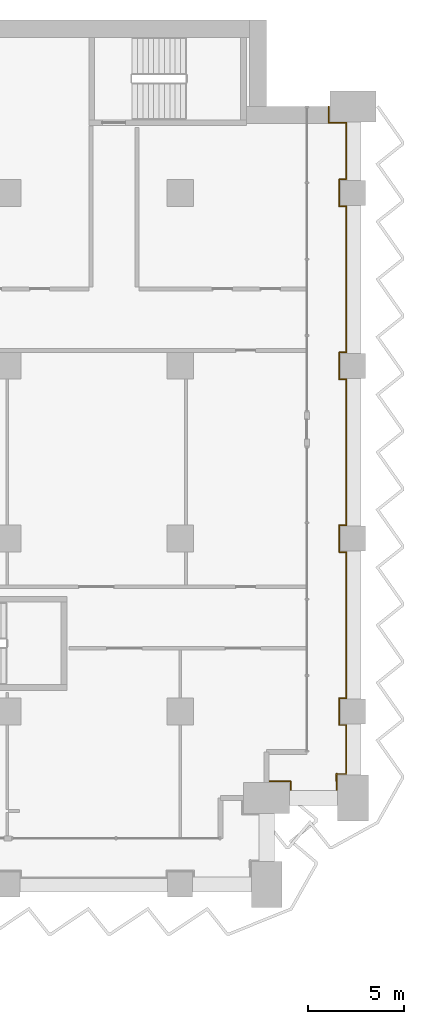
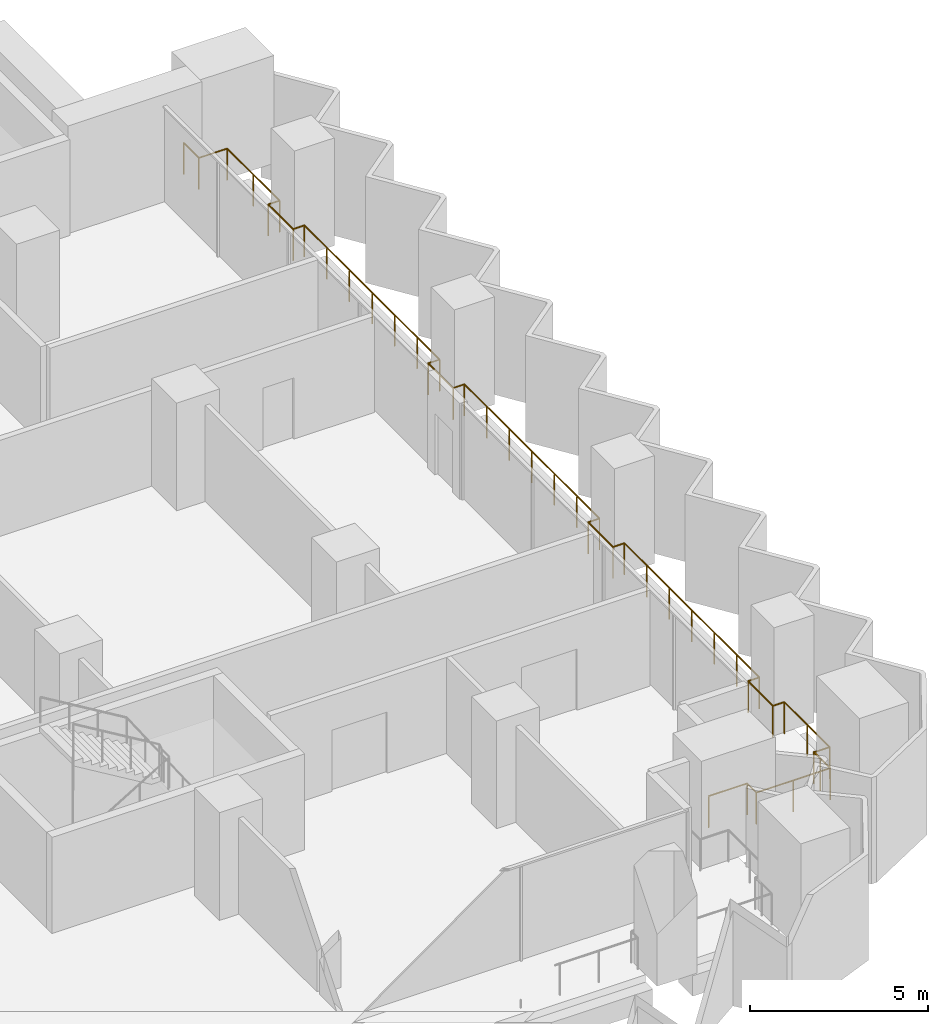
# One storey, part 28 of 28: 1 railing.
"""IFC4 building model written with IfcOpenShell, lengths in metres."""

from ifc_helpers import new_model, si_unit, direction, frame, origin, origin_2d, place, context, subcontext, project, spatial, circle, extrude, material, type_object, element, save


model = new_model("IFC4")

# Units and contexts
model_context = context("Model", 3, precision=1e-05, world=origin(), true_north=direction((0.0, 1.0)))
body_context = subcontext(model_context, "Body", "Model", "MODEL_VIEW")
ifc_project = project(units=[si_unit("LENGTHUNIT", "METRE"), si_unit("AREAUNIT", "SQUARE_METRE"), si_unit("VOLUMEUNIT", "CUBIC_METRE"), si_unit("PLANEANGLEUNIT", "RADIAN"), si_unit("MASSUNIT", "GRAM", prefix="KILO")], contexts=[model_context])

# Site, building, storey
site_placement = place(None, origin())
site = spatial("IfcSite", under=ifc_project, at=site_placement, CompositionType="ELEMENT")
building_placement = place(site_placement, origin())
building = spatial("IfcBuilding", under=site, at=building_placement, Name="Hunhe Ridgeline Campus", CompositionType="ELEMENT")
storey_placement = place(building_placement, frame((0.0, 0.0, 61.699951171875)))
storey = spatial("IfcBuildingStorey", under=building, at=storey_placement, Name="L14", CompositionType="ELEMENT", Elevation=61.699951171875)

# Railing
ifc_material = material(Name="Steel Q355", Category="steel")
railing_type = type_object("IfcRailingType", Name="Loggia guard 1100 Steel Q355", PredefinedType="GUARDRAIL", material=ifc_material)
railing_placement = place(storey_placement, frame((94.5, 59.3701171875, 0.0)))
element("IfcRailing", 1, at=railing_placement, inside=storey, type_object=railing_type, Name="Loggia guard 3", PredefinedType="GUARDRAIL", context=body_context, shape_type="SweptSolid", body=[
    extrude(circle(Radius=0.02392578125, at=origin_2d()), frame((0.0, 0.0, 1.076171875), z_axis=(1.0, 0.0, 0.0), x_axis=(0.0, 1.0, 0.0)), (0.0, 0.0, 1.0), 1.25),
    extrude(circle(Radius=0.02392578125, at=origin_2d()), frame((1.25, 0.0, 1.076171875), z_axis=(0.0, -1.0, 0.0), x_axis=(1.0, 0.0, 0.0)), (0.0, 0.0, 1.0), 0.52001953125),
    extrude(circle(Radius=0.02392578125, at=origin_2d()), frame((1.25, -0.52001953125, 1.076171875), z_axis=(1.0, 0.0, 0.0), x_axis=(0.0, 1.0, 0.0)), (0.0, 0.0, 1.0), 2.39990234375),
    extrude(circle(Radius=0.02392578125, at=origin_2d()), frame((3.64990234375, -0.52001953125, 1.076171875), z_axis=(0.0, 1.0, 0.0), x_axis=(-1.0, 0.0, 0.0)), (0.0, 0.0, 1.0), 0.919921875),
    extrude(circle(Radius=0.02392578125, at=origin_2d()), frame((3.64990234375, 0.39990234375, 1.076171875), z_axis=(-0.049998438503, -0.998749295943, 0.0), x_axis=(0.998749295943, -0.049998438503, 0.0)), (0.0, 0.0, 1.0), 0.400390625),
    extrude(circle(Radius=0.02392578125, at=origin_2d()), frame((3.6298828125, 0.0, 1.076171875), z_axis=(0.0, 1.0, 0.0), x_axis=(-1.0, 0.0, 0.0)), (0.0, 0.0, 1.0), 0.3798828125),
    extrude(circle(Radius=0.02392578125, at=origin_2d()), frame((3.6298828125, 0.3798828125, 1.076171875), z_axis=(1.0, 0.0, 0.0), x_axis=(0.0, 1.0, 0.0)), (0.0, 0.0, 1.0), 0.52001953125),
    extrude(circle(Radius=0.02392578125, at=origin_2d()), frame((4.14990234375, 0.3798828125, 1.076171875), z_axis=(0.0, 1.0, 0.0), x_axis=(-1.0, 0.0, 0.0)), (0.0, 0.0, 1.0), 2.550048828125),
    extrude(circle(Radius=0.02392578125, at=origin_2d()), frame((4.14990234375, 2.929931640625, 1.076171875), z_axis=(-1.0, 0.0, 0.0), x_axis=(0.0, -1.0, 0.0)), (0.0, 0.0, 1.0), 0.369873046875),
    extrude(circle(Radius=0.02392578125, at=origin_2d()), frame((3.780029296875, 2.929931640625, 1.076171875), z_axis=(0.0, 1.0, 0.0), x_axis=(-1.0, 0.0, 0.0)), (0.0, 0.0, 1.0), 1.39990234375),
    extrude(circle(Radius=0.02392578125, at=origin_2d()), frame((3.780029296875, 4.329833984375, 1.076171875), z_axis=(1.0, 0.0, 0.0), x_axis=(0.0, 1.0, 0.0)), (0.0, 0.0, 1.0), 0.369873046875),
    extrude(circle(Radius=0.02392578125, at=origin_2d()), frame((4.14990234375, 4.329833984375, 1.076171875), z_axis=(0.0, 1.0, 0.0), x_axis=(-1.0, 0.0, 0.0)), (0.0, 0.0, 1.0), 7.60009765625),
    extrude(circle(Radius=0.02392578125, at=origin_2d()), frame((4.14990234375, 11.929931640625, 1.076171875), z_axis=(-1.0, 0.0, 0.0), x_axis=(0.0, -1.0, 0.0)), (0.0, 0.0, 1.0), 0.369873046875),
    extrude(circle(Radius=0.02392578125, at=origin_2d()), frame((3.780029296875, 11.929931640625, 1.076171875), z_axis=(0.0, 1.0, 0.0), x_axis=(-1.0, 0.0, 0.0)), (0.0, 0.0, 1.0), 1.39990234375),
    extrude(circle(Radius=0.02392578125, at=origin_2d()), frame((3.780029296875, 13.329833984375, 1.076171875), z_axis=(1.0, 0.0, 0.0), x_axis=(0.0, 1.0, 0.0)), (0.0, 0.0, 1.0), 0.369873046875),
    extrude(circle(Radius=0.02392578125, at=origin_2d()), frame((4.14990234375, 13.329833984375, 1.076171875), z_axis=(0.0, 1.0, 0.0), x_axis=(-1.0, 0.0, 0.0)), (0.0, 0.0, 1.0), 7.60009765625),
    extrude(circle(Radius=0.02392578125, at=origin_2d()), frame((4.14990234375, 20.929931640625, 1.076171875), z_axis=(-1.0, 0.0, 0.0), x_axis=(0.0, -1.0, 0.0)), (0.0, 0.0, 1.0), 0.369873046875),
    extrude(circle(Radius=0.02392578125, at=origin_2d()), frame((3.780029296875, 20.929931640625, 1.076171875), z_axis=(0.0, 1.0, 0.0), x_axis=(-1.0, 0.0, 0.0)), (0.0, 0.0, 1.0), 1.39990234375),
    extrude(circle(Radius=0.02392578125, at=origin_2d()), frame((3.780029296875, 22.329833984375, 1.076171875), z_axis=(1.0, 0.0, 0.0), x_axis=(0.0, 1.0, 0.0)), (0.0, 0.0, 1.0), 0.369873046875),
    extrude(circle(Radius=0.02392578125, at=origin_2d()), frame((4.14990234375, 22.329833984375, 1.076171875), z_axis=(0.0, 1.0, 0.0), x_axis=(-1.0, 0.0, 0.0)), (0.0, 0.0, 1.0), 7.60009765625),
    extrude(circle(Radius=0.02392578125, at=origin_2d()), frame((4.14990234375, 29.929931640625, 1.076171875), z_axis=(-1.0, 0.0, 0.0), x_axis=(0.0, -1.0, 0.0)), (0.0, 0.0, 1.0), 0.369873046875),
    extrude(circle(Radius=0.02392578125, at=origin_2d()), frame((3.780029296875, 29.929931640625, 1.076171875), z_axis=(0.0, 1.0, 0.0), x_axis=(-1.0, 0.0, 0.0)), (0.0, 0.0, 1.0), 1.39990234375),
    extrude(circle(Radius=0.02392578125, at=origin_2d()), frame((3.780029296875, 31.329833984375, 1.076171875), z_axis=(1.0, 0.0, 0.0), x_axis=(0.0, 1.0, 0.0)), (0.0, 0.0, 1.0), 0.369873046875),
    extrude(circle(Radius=0.02392578125, at=origin_2d()), frame((4.14990234375, 31.329833984375, 1.076171875), z_axis=(0.0, 1.0, 0.0), x_axis=(-1.0, 0.0, 0.0)), (0.0, 0.0, 1.0), 2.949951171875),
    extrude(circle(Radius=0.02392578125, at=origin_2d()), frame((4.14990234375, 34.27978515625, 1.076171875), z_axis=(-1.0, 0.0, 0.0), x_axis=(0.0, -1.0, 0.0)), (0.0, 0.0, 1.0), 0.919921875),
    extrude(circle(Radius=0.02392578125, at=origin_2d()), frame((3.22998046875, 34.27978515625, 1.076171875), z_axis=(0.0, 1.0, 0.0), x_axis=(-1.0, 0.0, 0.0)), (0.0, 0.0, 1.0), 0.85009765625),
    extrude(circle(Radius=0.02099609375, at=origin_2d()), origin(), (0.0, 0.0, 1.0), 1.052001953125),
    extrude(circle(Radius=0.02099609375, at=origin_2d()), frame((1.25, 0.0, 0.0)), (0.0, 0.0, 1.0), 1.052001953125),
    extrude(circle(Radius=0.02099609375, at=origin_2d()), frame((1.25, -0.52001953125, 0.0)), (0.0, 0.0, 1.0), 1.052001953125),
    extrude(circle(Radius=0.02099609375, at=origin_2d()), frame((2.449951171875, -0.52001953125, 0.0)), (0.0, 0.0, 1.0), 1.052001953125),
    extrude(circle(Radius=0.02099609375, at=origin_2d()), frame((3.64990234375, -0.52001953125, 0.0)), (0.0, 0.0, 1.0), 1.052001953125),
    extrude(circle(Radius=0.02099609375, at=origin_2d()), frame((3.64990234375, 0.39990234375, 0.0)), (0.0, 0.0, 1.0), 1.052001953125),
    extrude(circle(Radius=0.02099609375, at=origin_2d()), frame((3.6298828125, 0.0, 0.0)), (0.0, 0.0, 1.0), 1.052001953125),
    extrude(circle(Radius=0.02099609375, at=origin_2d()), frame((3.6298828125, 0.3798828125, 0.0)), (0.0, 0.0, 1.0), 1.052001953125),
    extrude(circle(Radius=0.02099609375, at=origin_2d()), frame((4.14990234375, 0.3798828125, 0.0)), (0.0, 0.0, 1.0), 1.052001953125),
    extrude(circle(Radius=0.02099609375, at=origin_2d()), frame((4.14990234375, 1.65478515625, 0.0)), (0.0, 0.0, 1.0), 1.052001953125),
    extrude(circle(Radius=0.02099609375, at=origin_2d()), frame((4.14990234375, 2.929931640625, 0.0)), (0.0, 0.0, 1.0), 1.052001953125),
    extrude(circle(Radius=0.02099609375, at=origin_2d()), frame((3.780029296875, 2.929931640625, 0.0)), (0.0, 0.0, 1.0), 1.052001953125),
    extrude(circle(Radius=0.02099609375, at=origin_2d()), frame((3.780029296875, 4.329833984375, 0.0)), (0.0, 0.0, 1.0), 1.052001953125),
    extrude(circle(Radius=0.02099609375, at=origin_2d()), frame((4.14990234375, 4.329833984375, 0.0)), (0.0, 0.0, 1.0), 1.052001953125),
    extrude(circle(Radius=0.02099609375, at=origin_2d()), frame((4.14990234375, 5.596435546875, 0.0)), (0.0, 0.0, 1.0), 1.052001953125),
    extrude(circle(Radius=0.02099609375, at=origin_2d()), frame((4.14990234375, 6.86328125, 0.0)), (0.0, 0.0, 1.0), 1.052001953125),
    extrude(circle(Radius=0.02099609375, at=origin_2d()), frame((4.14990234375, 8.1298828125, 0.0)), (0.0, 0.0, 1.0), 1.052001953125),
    extrude(circle(Radius=0.02099609375, at=origin_2d()), frame((4.14990234375, 9.396484375, 0.0)), (0.0, 0.0, 1.0), 1.052001953125),
    extrude(circle(Radius=0.02099609375, at=origin_2d()), frame((4.14990234375, 10.663330078125, 0.0)), (0.0, 0.0, 1.0), 1.052001953125),
    extrude(circle(Radius=0.02099609375, at=origin_2d()), frame((4.14990234375, 11.929931640625, 0.0)), (0.0, 0.0, 1.0), 1.052001953125),
    extrude(circle(Radius=0.02099609375, at=origin_2d()), frame((3.780029296875, 11.929931640625, 0.0)), (0.0, 0.0, 1.0), 1.052001953125),
    extrude(circle(Radius=0.02099609375, at=origin_2d()), frame((3.780029296875, 13.329833984375, 0.0)), (0.0, 0.0, 1.0), 1.052001953125),
    extrude(circle(Radius=0.02099609375, at=origin_2d()), frame((4.14990234375, 13.329833984375, 0.0)), (0.0, 0.0, 1.0), 1.052001953125),
    extrude(circle(Radius=0.02099609375, at=origin_2d()), frame((4.14990234375, 14.596435546875, 0.0)), (0.0, 0.0, 1.0), 1.052001953125),
    extrude(circle(Radius=0.02099609375, at=origin_2d()), frame((4.14990234375, 15.86328125, 0.0)), (0.0, 0.0, 1.0), 1.052001953125),
    extrude(circle(Radius=0.02099609375, at=origin_2d()), frame((4.14990234375, 17.1298828125, 0.0)), (0.0, 0.0, 1.0), 1.052001953125),
    extrude(circle(Radius=0.02099609375, at=origin_2d()), frame((4.14990234375, 18.396484375, 0.0)), (0.0, 0.0, 1.0), 1.052001953125),
    extrude(circle(Radius=0.02099609375, at=origin_2d()), frame((4.14990234375, 19.663330078125, 0.0)), (0.0, 0.0, 1.0), 1.052001953125),
    extrude(circle(Radius=0.02099609375, at=origin_2d()), frame((4.14990234375, 20.929931640625, 0.0)), (0.0, 0.0, 1.0), 1.052001953125),
    extrude(circle(Radius=0.02099609375, at=origin_2d()), frame((3.780029296875, 20.929931640625, 0.0)), (0.0, 0.0, 1.0), 1.052001953125),
    extrude(circle(Radius=0.02099609375, at=origin_2d()), frame((3.780029296875, 22.329833984375, 0.0)), (0.0, 0.0, 1.0), 1.052001953125),
    extrude(circle(Radius=0.02099609375, at=origin_2d()), frame((4.14990234375, 22.329833984375, 0.0)), (0.0, 0.0, 1.0), 1.052001953125),
    extrude(circle(Radius=0.02099609375, at=origin_2d()), frame((4.14990234375, 23.596435546875, 0.0)), (0.0, 0.0, 1.0), 1.052001953125),
    extrude(circle(Radius=0.02099609375, at=origin_2d()), frame((4.14990234375, 24.86328125, 0.0)), (0.0, 0.0, 1.0), 1.052001953125),
    extrude(circle(Radius=0.02099609375, at=origin_2d()), frame((4.14990234375, 26.1298828125, 0.0)), (0.0, 0.0, 1.0), 1.052001953125),
    extrude(circle(Radius=0.02099609375, at=origin_2d()), frame((4.14990234375, 27.396484375, 0.0)), (0.0, 0.0, 1.0), 1.052001953125),
    extrude(circle(Radius=0.02099609375, at=origin_2d()), frame((4.14990234375, 28.663330078125, 0.0)), (0.0, 0.0, 1.0), 1.052001953125),
    extrude(circle(Radius=0.02099609375, at=origin_2d()), frame((4.14990234375, 29.929931640625, 0.0)), (0.0, 0.0, 1.0), 1.052001953125),
    extrude(circle(Radius=0.02099609375, at=origin_2d()), frame((3.780029296875, 29.929931640625, 0.0)), (0.0, 0.0, 1.0), 1.052001953125),
    extrude(circle(Radius=0.02099609375, at=origin_2d()), frame((3.780029296875, 31.329833984375, 0.0)), (0.0, 0.0, 1.0), 1.052001953125),
    extrude(circle(Radius=0.02099609375, at=origin_2d()), frame((4.14990234375, 31.329833984375, 0.0)), (0.0, 0.0, 1.0), 1.052001953125),
    extrude(circle(Radius=0.02099609375, at=origin_2d()), frame((4.14990234375, 32.8046875, 0.0)), (0.0, 0.0, 1.0), 1.052001953125),
    extrude(circle(Radius=0.02099609375, at=origin_2d()), frame((4.14990234375, 34.27978515625, 0.0)), (0.0, 0.0, 1.0), 1.052001953125),
    extrude(circle(Radius=0.02099609375, at=origin_2d()), frame((3.22998046875, 34.27978515625, 0.0)), (0.0, 0.0, 1.0), 1.052001953125),
    extrude(circle(Radius=0.02099609375, at=origin_2d()), frame((3.22998046875, 35.1298828125, 0.0)), (0.0, 0.0, 1.0), 1.052001953125),
])

save(model, "model.ifc")
